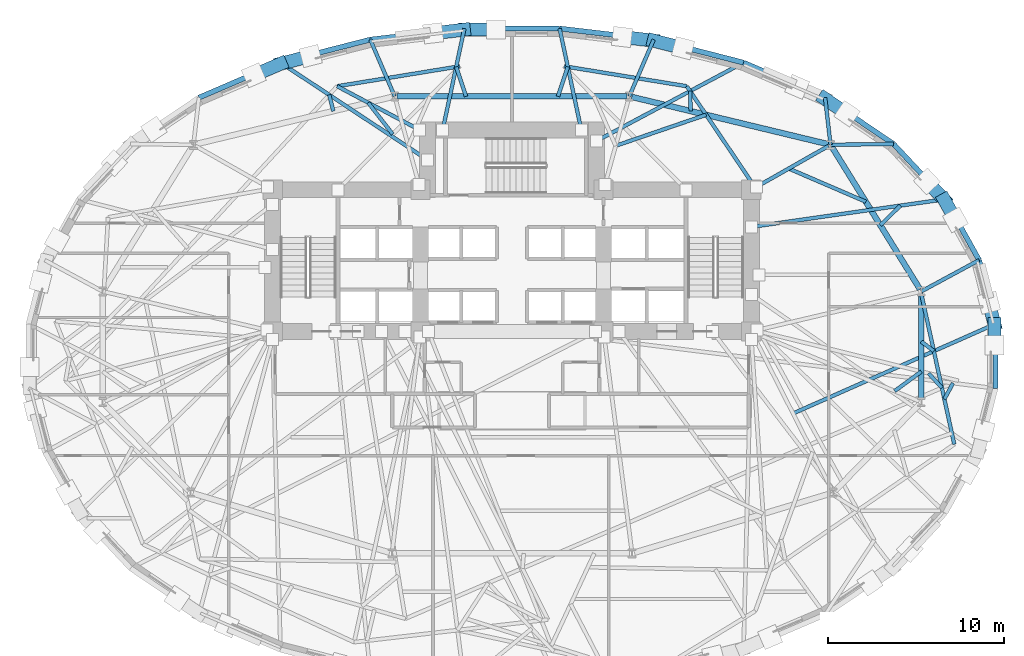
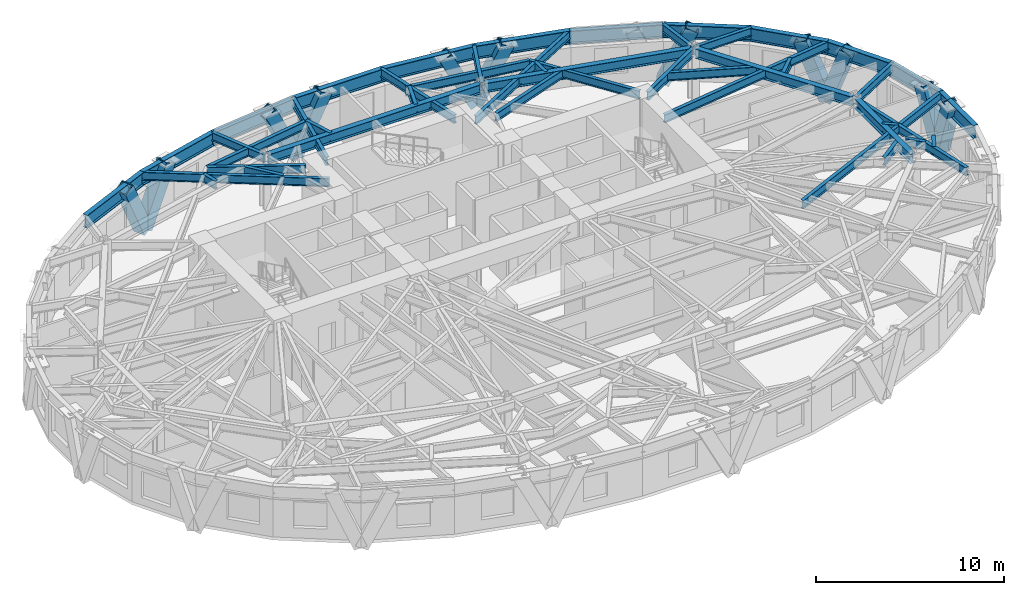
# One storey, part 4 of 14: 45 beams, 11 members.
"""IFC4 building model written with IfcOpenShell, lengths in metres."""

from ifc_helpers import new_model, si_unit, direction, frame, origin, origin_2d, place, context, subcontext, project, spatial, hollow_rectangle, i_section, extrude, material, material_profile, profile_set, type_object, element, save


model = new_model("IFC4")

# Units and contexts
model_context = context("Model", 3, precision=1e-05, world=origin(), true_north=direction((0.0, 1.0)))
body_context = subcontext(model_context, "Body", "Model", "MODEL_VIEW")
ifc_project = project(units=[si_unit("LENGTHUNIT", "METRE"), si_unit("AREAUNIT", "SQUARE_METRE"), si_unit("VOLUMEUNIT", "CUBIC_METRE"), si_unit("PLANEANGLEUNIT", "RADIAN"), si_unit("MASSUNIT", "GRAM", prefix="KILO")], contexts=[model_context])

# Site, building, storey
site_placement = place(None, origin())
site = spatial("IfcSite", under=ifc_project, at=site_placement, CompositionType="ELEMENT")
building_placement = place(site_placement, origin())
building = spatial("IfcBuilding", under=site, at=building_placement, Name="Keldmark Tower", CompositionType="ELEMENT")
storey_placement = place(building_placement, frame((0.0, 0.0, 48.60009765625)))
storey = spatial("IfcBuildingStorey", under=building, at=storey_placement, Name="L12", CompositionType="ELEMENT", Elevation=48.60009765625)

# Members
ifc_material_1 = material(Name="Steel ASTM A572 Grade 50", Category="steel")
ifc_material_profile_1 = material_profile(ifc_material_1, hollow_rectangle(XDim=0.75, YDim=0.75, WallThickness=0.06494140625, at=origin_2d()), Name="BOX750X750X65")
ifc_profile_set_1 = profile_set([ifc_material_profile_1], Name="Steel ASTM A572 Grade 50")
member_type = type_object("IfcMemberType", Name="Diagrid Lower Brace BOX750X750X65", PredefinedType="BRACE", material=ifc_profile_set_1)
member_1_placement = place(storey_placement, frame((27.40625, 1.8271484375, -0.280029296875), z_axis=(-0.082013108125, 0.320090623266, 0.94383041008), x_axis=(-0.968708564556, -0.248200960828, 0.0)))
element("IfcMember", 1, at=member_1_placement, inside=storey, type_object=member_type, Name="L12 Perimeter Diagrid Brace 01A", PredefinedType="BRACE", context=body_context, shape_type="SweptSolid", body=[
    extrude(hollow_rectangle(XDim=0.75, YDim=0.75, WallThickness=0.06494140625, at=origin_2d()), origin(), (0.0, 0.0, 1.0), 3.771728515625),
])
member_2_placement = place(storey_placement, frame((24.551025390625, 8.8955078125, -0.280029296875), z_axis=(0.169441419499, -0.303579863929, 0.937618723989), x_axis=(0.873195871477, 0.487369438963, 0.0)))
element("IfcMember", 2, at=member_2_placement, inside=storey, type_object=member_type, Name="L12 Perimeter Diagrid Brace 01B", PredefinedType="BRACE", context=body_context, shape_type="SweptSolid", body=[
    extrude(hollow_rectangle(XDim=0.75, YDim=0.75, WallThickness=0.06494140625, at=origin_2d()), origin(), (0.0, 0.0, 1.0), 3.796630859375),
])
member_3_placement = place(storey_placement, frame((24.555419921875, 8.884521484375, -0.280029296875), z_axis=(-0.254998160152, 0.272748780582, 0.927676689914), x_axis=(-0.730477044088, -0.682937250456, 0.0)))
element("IfcMember", 3, at=member_3_placement, inside=storey, type_object=member_type, Name="L12 Perimeter Diagrid Brace 02A", PredefinedType="BRACE", context=body_context, shape_type="SweptSolid", body=[
    extrude(hollow_rectangle(XDim=0.75, YDim=0.75, WallThickness=0.06494140625, at=origin_2d()), origin(), (0.0, 0.0, 1.0), 3.83740234375),
])
member_4_placement = place(storey_placement, frame((17.739990234375, 14.647705078125, -0.280029296875), z_axis=(0.333131129955, -0.225770739411, 0.915451376907), x_axis=(0.561020614618, 0.827801830134, 0.0)))
element("IfcMember", 4, at=member_4_placement, inside=storey, type_object=member_type, Name="L12 Perimeter Diagrid Brace 02B", PredefinedType="BRACE", context=body_context, shape_type="SweptSolid", body=[
    extrude(hollow_rectangle(XDim=0.75, YDim=0.75, WallThickness=0.06494140625, at=origin_2d()), origin(), (0.0, 0.0, 1.0), 3.888671875),
])
member_5_placement = place(storey_placement, frame((8.02197265625, 17.9296875, -0.280029296875), z_axis=(0.428520757297, -0.109790376313, 0.896836681807), x_axis=(0.248191356425, 0.96871102533, 0.0)))
element("IfcMember", 5, at=member_5_placement, inside=storey, type_object=member_type, Name="L12 Perimeter Diagrid Brace 03B", PredefinedType="BRACE", context=body_context, shape_type="SweptSolid", body=[
    extrude(hollow_rectangle(XDim=0.75, YDim=0.75, WallThickness=0.06494140625, at=origin_2d()), origin(), (0.0, 0.0, 1.0), 3.96923828125),
])
member_6_placement = place(storey_placement, frame((8.032958984375, 17.92529296875, -0.280029296875), z_axis=(-0.446963157754, 0.052547874672, 0.893007646371), x_axis=(-0.116762289112, -0.993159890371, 0.0)))
element("IfcMember", 6, at=member_6_placement, inside=storey, type_object=member_type, Name="L12 Perimeter Diagrid Brace 04A", PredefinedType="BRACE", context=body_context, shape_type="SweptSolid", body=[
    extrude(hollow_rectangle(XDim=0.75, YDim=0.75, WallThickness=0.06494140625, at=origin_2d()), origin(), (0.0, 0.0, 1.0), 3.986328125),
])
member_7_placement = place(storey_placement, frame((-2.711181640625, 18.551513671875, -0.280029296875), z_axis=(0.451930390939, 0.0, 0.89205320567), x_axis=(0.0, 1.0, 0.0)))
element("IfcMember", 7, at=member_7_placement, inside=storey, type_object=member_type, Name="L12 Perimeter Diagrid Brace 04B", PredefinedType="BRACE", context=body_context, shape_type="SweptSolid", body=[
    extrude(hollow_rectangle(XDim=0.75, YDim=0.75, WallThickness=0.06494140625, at=origin_2d()), origin(), (0.0, 0.0, 1.0), 3.990478515625),
])
member_8_placement = place(storey_placement, frame((-2.69921875, 18.551513671875, -0.280029296875), z_axis=(-0.446963157754, -0.052547874672, 0.893007646371), x_axis=(0.116762289112, -0.993159890371, 0.0)))
element("IfcMember", 8, at=member_8_placement, inside=storey, type_object=member_type, Name="L12 Perimeter Diagrid Brace 05A", PredefinedType="BRACE", context=body_context, shape_type="SweptSolid", body=[
    extrude(hollow_rectangle(XDim=0.75, YDim=0.75, WallThickness=0.06494140625, at=origin_2d()), origin(), (0.0, 0.0, 1.0), 3.986328125),
])
member_9_placement = place(storey_placement, frame((-13.135986328125, 16.617431640625, -0.280029296875), z_axis=(0.428517862758, 0.109851141508, 0.896830623923), x_axis=(-0.248321827558, 0.96867758824, 0.0)))
element("IfcMember", 9, at=member_9_placement, inside=storey, type_object=member_type, Name="L12 Perimeter Diagrid Brace 05B", PredefinedType="BRACE", context=body_context, shape_type="SweptSolid", body=[
    extrude(hollow_rectangle(XDim=0.75, YDim=0.75, WallThickness=0.06494140625, at=origin_2d()), origin(), (0.0, 0.0, 1.0), 3.96923828125),
])
member_10_placement = place(storey_placement, frame((-13.125, 16.6220703125, -0.280029296875), z_axis=(-0.392321493555, -0.168439009879, 0.904274375201), x_axis=(0.394515266189, -0.918889386566, 0.0)))
element("IfcMember", 10, at=member_10_placement, inside=storey, type_object=member_type, Name="L12 Perimeter Diagrid Brace 06A", PredefinedType="BRACE", context=body_context, shape_type="SweptSolid", body=[
    extrude(hollow_rectangle(XDim=0.75, YDim=0.75, WallThickness=0.06494140625, at=origin_2d()), origin(), (0.0, 0.0, 1.0), 3.936767578125),
])
member_11_placement = place(storey_placement, frame((27.40625, 1.8388671875, -0.280029296875), z_axis=(0.0, -0.324660959988, 0.945830461055), x_axis=(1.0, 0.0, 0.0)))
element("IfcMember", 11, at=member_11_placement, inside=storey, type_object=member_type, Name="L12 Perimeter Diagrid Brace 16B", PredefinedType="BRACE", context=body_context, shape_type="SweptSolid", body=[
    extrude(hollow_rectangle(XDim=0.75, YDim=0.75, WallThickness=0.06494140625, at=origin_2d()), origin(), (0.0, 0.0, 1.0), 3.763671875),
])

# Beams
ifc_material_2 = material(Name="Steel ASTM A992 Grade 50", Category="steel")
ifc_material_profile_2 = material_profile(ifc_material_2, i_section(OverallWidth=0.323974609375, OverallDepth=0.611083984375, WebThickness=0.0126953125, FlangeThickness=0.01904296875, at=origin_2d()), Name="W24X104")
ifc_profile_set_2 = profile_set([ifc_material_profile_2], Name="Steel ASTM A992 Grade 50")
beam_type_1 = type_object("IfcBeamType", Name="Primary Floor Girder W24X104", PredefinedType="BEAM", material=ifc_profile_set_2)
beam_1_placement = place(storey_placement, frame((23.180419921875, 3.796142578125, 3.094482421875), z_axis=(-0.526318405849, 0.850287560573, 0.0), x_axis=(-0.850287560573, -0.526318405849, 0.0)))
element("IfcBeam", 12, at=beam_1_placement, inside=storey, type_object=beam_type_1, Name="L12 Floor Ring Girder FG-R01", PredefinedType="BEAM", context=body_context, shape_type="SweptSolid", body=[
    extrude(i_section(OverallWidth=0.323974609375, OverallDepth=0.611083984375, WebThickness=0.0126953125, FlangeThickness=0.01904296875, at=origin_2d()), origin(), (0.0, 0.0, 1.0), 9.51708984375),
])
beam_2_placement = place(storey_placement, frame((17.961669921875, 12.040283203125, 3.094482421875), z_axis=(-0.972218707757, 0.2340743136, 0.0), x_axis=(-0.2340743136, -0.972218707757, 0.0)))
element("IfcBeam", 13, at=beam_2_placement, inside=storey, type_object=beam_type_1, Name="L12 Floor Ring Girder FG-R02", PredefinedType="BEAM", context=body_context, shape_type="SweptSolid", body=[
    extrude(i_section(OverallWidth=0.323974609375, OverallDepth=0.611083984375, WebThickness=0.0126953125, FlangeThickness=0.01904296875, at=origin_2d()), origin(), (0.0, 0.0, 1.0), 11.479248046875),
])
beam_3_placement = place(storey_placement, frame((6.525146484375, 14.760009765625, 3.094482421875), z_axis=(-1.0, 0.0, 0.0), x_axis=(0.0, -1.0, 0.0)))
element("IfcBeam", 14, at=beam_3_placement, inside=storey, type_object=beam_type_1, Name="L12 Floor Ring Girder FG-R03", PredefinedType="BEAM", context=body_context, shape_type="SweptSolid", body=[
    extrude(i_section(OverallWidth=0.323974609375, OverallDepth=0.611083984375, WebThickness=0.0126953125, FlangeThickness=0.01904296875, at=origin_2d()), origin(), (0.0, 0.0, 1.0), 13.05029296875),
])
beam_4_placement = place(storey_placement, frame((23.25390625, -2.47314453125, 3.094482421875), z_axis=(0.0, 1.0, 0.0), x_axis=(-1.0, 0.0, 0.0)))
element("IfcBeam", 15, at=beam_4_placement, inside=storey, type_object=beam_type_1, Name="L12 Floor Ring Girder FG-R12", PredefinedType="BEAM", context=body_context, shape_type="SweptSolid", body=[
    extrude(i_section(OverallWidth=0.323974609375, OverallDepth=0.611083984375, WebThickness=0.0126953125, FlangeThickness=0.01904296875, at=origin_2d()), origin(), (0.0, 0.0, 1.0), 6.01025390625),
])
ifc_material_3 = material(Name="Steel ASTM A992 Grade 50", Category="steel")
ifc_material_profile_3 = material_profile(ifc_material_3, i_section(OverallWidth=0.2099609375, OverallDepth=0.537109375, WebThickness=0.010986328125, FlangeThickness=0.017333984375, at=origin_2d()), Name="W21X68")
ifc_profile_set_3 = profile_set([ifc_material_profile_3], Name="Steel ASTM A992 Grade 50")
beam_type_2 = type_object("IfcBeamType", Name="Radial Tie Girder W21X68", PredefinedType="BEAM", material=ifc_profile_set_3)
beam_5_placement = place(storey_placement, frame((5.889404296875, 11.948486328125, 3.13134765625), z_axis=(0.94599832842, 0.324171501872, 0.0), x_axis=(-0.324171501872, 0.94599832842, 0.0)))
element("IfcBeam", 16, at=beam_5_placement, inside=storey, type_object=beam_type_2, Name="L12 Framing Pin Header PH-001", PredefinedType="BEAM", context=body_context, shape_type="SweptSolid", body=[
    extrude(i_section(OverallWidth=0.2099609375, OverallDepth=0.537109375, WebThickness=0.010986328125, FlangeThickness=0.017333984375, at=origin_2d()), origin(), (0.0, 0.0, 1.0), 5.432373046875),
])
beam_6_placement = place(storey_placement, frame((13.60009765625, 9.89990234375, 3.13134765625), z_axis=(-0.559521471591, 0.828815855802, 0.0), x_axis=(-0.828815855802, -0.559521471591, 0.0)))
element("IfcBeam", 17, at=beam_6_placement, inside=storey, type_object=beam_type_2, Name="L12 Sub-Ring Step Girder STP1-M02", PredefinedType="BEAM", context=body_context, shape_type="SweptSolid", body=[
    extrude(i_section(OverallWidth=0.2099609375, OverallDepth=0.537109375, WebThickness=0.010986328125, FlangeThickness=0.017333984375, at=origin_2d()), origin(), (0.0, 0.0, 1.0), 6.5546875),
])
beam_7_placement = place(storey_placement, frame((-6.775390625, 12.607421875, 3.13134765625), z_axis=(-0.614380011532, 0.789010266999, 0.0), x_axis=(-0.789010266999, -0.614380011532, 0.0)))
element("IfcBeam", 18, at=beam_7_placement, inside=storey, type_object=beam_type_2, Name="L12 Framing Pin Header PH-004", PredefinedType="BEAM", context=body_context, shape_type="SweptSolid", body=[
    extrude(i_section(OverallWidth=0.2099609375, OverallDepth=0.537109375, WebThickness=0.010986328125, FlangeThickness=0.017333984375, at=origin_2d()), origin(), (0.0, 0.0, 1.0), 2.26904296875),
])
beam_8_placement = place(storey_placement, frame((-5.25, 12.85009765625, 3.13134765625), z_axis=(-0.883523338204, 0.468387137792, 0.0), x_axis=(-0.468387137792, -0.883523338204, 0.0)))
element("IfcBeam", 19, at=beam_8_placement, inside=storey, type_object=beam_type_2, Name="L12 Sub-Ring Step Girder STP1-M05", PredefinedType="BEAM", context=body_context, shape_type="SweptSolid", body=[
    extrude(i_section(OverallWidth=0.2099609375, OverallDepth=0.537109375, WebThickness=0.010986328125, FlangeThickness=0.017333984375, at=origin_2d()), origin(), (0.0, 0.0, 1.0), 5.300048828125),
])
beam_9_placement = place(storey_placement, frame((21.740234375, -1.98388671875, 3.13134765625), z_axis=(0.806632426687, 0.591053405554, 0.0), x_axis=(-0.591053405554, 0.806632426687, 0.0)))
element("IfcBeam", 20, at=beam_9_placement, inside=storey, type_object=beam_type_2, Name="L12 Framing Pin Header PH-008", PredefinedType="BEAM", context=body_context, shape_type="SweptSolid", body=[
    extrude(i_section(OverallWidth=0.2099609375, OverallDepth=0.537109375, WebThickness=0.010986328125, FlangeThickness=0.017333984375, at=origin_2d()), origin(), (0.0, 0.0, 1.0), 1.87646484375),
])
for number, where, z_axis, x_axis, name in (
    (21, (9.9326171875, 15.33251953125, 3.13134765625), (-0.987017599619, 0.160612135416, 0.0), (-0.160612135416, -0.987017599619, 0.0), "L12 Perimeter Collector Ring Beam CRG1-M02"),
    (22, (-2.965087890625, 16.46630859375, 3.13134765625), (-0.987017599619, -0.160612135416, 0.0), (0.160612135416, -0.987017599619, 0.0), "L12 Perimeter Collector Ring Beam CRG1-M04"),
):
    element("IfcBeam", number, at=place(storey_placement, frame(where, z_axis=z_axis, x_axis=x_axis)), inside=storey, type_object=beam_type_2, Name=name, PredefinedType="BEAM", context=body_context, shape_type="SweptSolid", body=[
        extrude(i_section(OverallWidth=0.2099609375, OverallDepth=0.537109375, WebThickness=0.010986328125, FlangeThickness=0.017333984375, at=origin_2d()), origin(), (0.0, 0.0, 1.0), 7.05908203125),
    ])
beam_10_placement = place(storey_placement, frame((15.72216796875, 10.65673828125, 3.13134765625), z_axis=(0.918415191606, -0.395617916464, 0.0), x_axis=(0.395617916464, 0.918415191606, 0.0)))
element("IfcBeam", 23, at=beam_10_placement, inside=storey, type_object=beam_type_2, Name="L12 Framing Pin Header PH-009", PredefinedType="BEAM", context=body_context, shape_type="SweptSolid", body=[
    extrude(i_section(OverallWidth=0.2099609375, OverallDepth=0.537109375, WebThickness=0.010986328125, FlangeThickness=0.017333984375, at=origin_2d()), origin(), (0.0, 0.0, 1.0), 4.768310546875),
])
beam_11_placement = place(storey_placement, frame((23.66845703125, -0.977294921875, 3.13134765625), z_axis=(0.675774047362, -0.737108836544, 0.0), x_axis=(0.737108836544, 0.675774047362, 0.0)))
element("IfcBeam", 24, at=beam_11_placement, inside=storey, type_object=beam_type_2, Name="L12 Framing Pin Header PH-015", PredefinedType="BEAM", context=body_context, shape_type="SweptSolid", body=[
    extrude(i_section(OverallWidth=0.2099609375, OverallDepth=0.537109375, WebThickness=0.010986328125, FlangeThickness=0.017333984375, at=origin_2d()), origin(), (0.0, 0.0, 1.0), 1.118408203125),
])
beam_12_placement = place(storey_placement, frame((23.25390625, 3.537109375, 3.13134765625), z_axis=(0.214137140926, -0.976803606093, 0.0), x_axis=(0.976803606093, 0.214137140926, 0.0)))
element("IfcBeam", 25, at=beam_12_placement, inside=storey, type_object=beam_type_2, Name="L12 Sub-Ring Step Girder STP2-M12", PredefinedType="BEAM", context=body_context, shape_type="SweptSolid", body=[
    extrude(i_section(OverallWidth=0.2099609375, OverallDepth=0.537109375, WebThickness=0.010986328125, FlangeThickness=0.017333984375, at=origin_2d()), origin(), (0.0, 0.0, 1.0), 8.748046875),
])
beam_13_placement = place(storey_placement, frame((23.25390625, 0.83251953125, 3.13134765625), z_axis=(0.792613901629, -0.609723874344, 0.0), x_axis=(0.609723874344, 0.792613901629, 0.0)))
element("IfcBeam", 26, at=beam_13_placement, inside=storey, type_object=beam_type_2, Name="L12 Framing Pin Header PH-016", PredefinedType="BEAM", context=body_context, shape_type="SweptSolid", body=[
    extrude(i_section(OverallWidth=0.2099609375, OverallDepth=0.537109375, WebThickness=0.010986328125, FlangeThickness=0.017333984375, at=origin_2d()), origin(), (0.0, 0.0, 1.0), 0.899658203125),
])
beam_14_placement = place(storey_placement, frame((15.96728515625, -3.258056640625, 3.13134765625), z_axis=(0.914383067836, 0.404850102204, 0.0), x_axis=(-0.404850102204, 0.914383067836, 0.0)))
element("IfcBeam", 27, at=beam_14_placement, inside=storey, type_object=beam_type_2, Name="L12 Perimeter Radial Tie Girder RT-01", PredefinedType="BEAM", context=body_context, shape_type="SweptSolid", body=[
    extrude(i_section(OverallWidth=0.2099609375, OverallDepth=0.537109375, WebThickness=0.010986328125, FlangeThickness=0.017333984375, at=origin_2d()), origin(), (0.0, 0.0, 1.0), 12.5751953125),
])
beam_15_placement = place(storey_placement, frame((23.25390625, 3.67724609375, 3.13134765625), z_axis=(0.8794299536, 0.476028315031, 0.0), x_axis=(-0.476028315031, 0.8794299536, 0.0)))
element("IfcBeam", 28, at=beam_15_placement, inside=storey, type_object=beam_type_2, Name="L12 Perimeter Column Bracket RT-02", PredefinedType="BEAM", context=body_context, shape_type="SweptSolid", body=[
    extrude(i_section(OverallWidth=0.2099609375, OverallDepth=0.537109375, WebThickness=0.010986328125, FlangeThickness=0.017333984375, at=origin_2d()), origin(), (0.0, 0.0, 1.0), 3.734619140625),
])
beam_16_placement = place(storey_placement, frame((20.92626953125, 7.437744140625, 3.13134765625), z_axis=(0.714817341796, 0.699311209597, 0.0), x_axis=(-0.699311209597, 0.714817341796, 0.0)))
element("IfcBeam", 29, at=beam_16_placement, inside=storey, type_object=beam_type_2, Name="L12 Framing Pin Header PH-017", PredefinedType="BEAM", context=body_context, shape_type="SweptSolid", body=[
    extrude(i_section(OverallWidth=0.2099609375, OverallDepth=0.537109375, WebThickness=0.010986328125, FlangeThickness=0.017333984375, at=origin_2d()), origin(), (0.0, 0.0, 1.0), 1.59033203125),
])
beam_17_placement = place(storey_placement, frame((13.60009765625, 7.343017578125, 3.13134765625), z_axis=(0.989984592314, 0.141175447518, 0.0), x_axis=(-0.141175447518, 0.989984592314, 0.0)))
element("IfcBeam", 30, at=beam_17_placement, inside=storey, type_object=beam_type_2, Name="L12 Perimeter Radial Tie Girder RT-03", PredefinedType="BEAM", context=body_context, shape_type="SweptSolid", body=[
    extrude(i_section(OverallWidth=0.2099609375, OverallDepth=0.537109375, WebThickness=0.010986328125, FlangeThickness=0.017333984375, at=origin_2d()), origin(), (0.0, 0.0, 1.0), 11.11962890625),
])
beam_18_placement = place(storey_placement, frame((18.09765625, 12.00732421875, 3.13134765625), z_axis=(0.999921071329, 0.012563881257, 0.0), x_axis=(-0.012563881257, 0.999921071329, 0.0)))
element("IfcBeam", 31, at=beam_18_placement, inside=storey, type_object=beam_type_2, Name="L12 Perimeter Column Bracket RT-04", PredefinedType="BEAM", context=body_context, shape_type="SweptSolid", body=[
    extrude(i_section(OverallWidth=0.2099609375, OverallDepth=0.537109375, WebThickness=0.010986328125, FlangeThickness=0.017333984375, at=origin_2d()), origin(), (0.0, 0.0, 1.0), 3.575439453125),
])
beam_19_placement = place(storey_placement, frame((18.09765625, 12.00732421875, 3.13134765625), z_axis=(-0.115438533169, 0.993314625413, 0.0), x_axis=(-0.993314625413, -0.115438533169, 0.0)))
element("IfcBeam", 32, at=beam_19_placement, inside=storey, type_object=beam_type_2, Name="L12 Perimeter Column Bracket RT-05", PredefinedType="BEAM", context=body_context, shape_type="SweptSolid", body=[
    extrude(i_section(OverallWidth=0.2099609375, OverallDepth=0.537109375, WebThickness=0.010986328125, FlangeThickness=0.017333984375, at=origin_2d()), origin(), (0.0, 0.0, 1.0), 2.696533203125),
])
beam_20_placement = place(storey_placement, frame((10.1494140625, 13.921142578125, 3.13134765625), z_axis=(-0.027695557598, 0.999616404472, 0.0), x_axis=(-0.999616404472, -0.027695557598, 0.0)))
element("IfcBeam", 33, at=beam_20_placement, inside=storey, type_object=beam_type_2, Name="L12 Framing Pin Header PH-018", PredefinedType="BEAM", context=body_context, shape_type="SweptSolid", body=[
    extrude(i_section(OverallWidth=0.2099609375, OverallDepth=0.537109375, WebThickness=0.010986328125, FlangeThickness=0.017333984375, at=origin_2d()), origin(), (0.0, 0.0, 1.0), 1.13720703125),
])
beam_21_placement = place(storey_placement, frame((4.800048828125, 12.22509765625, 3.13134765625), z_axis=(0.882588469894, 0.470146352544, 0.0), x_axis=(-0.470146352544, 0.882588469894, 0.0)))
element("IfcBeam", 34, at=beam_21_placement, inside=storey, type_object=beam_type_2, Name="L12 Perimeter Radial Tie Girder RT-06", PredefinedType="BEAM", context=body_context, shape_type="SweptSolid", body=[
    extrude(i_section(OverallWidth=0.2099609375, OverallDepth=0.537109375, WebThickness=0.010986328125, FlangeThickness=0.017333984375, at=origin_2d()), origin(), (0.0, 0.0, 1.0), 9.464599609375),
])
beam_22_placement = place(storey_placement, frame((6.6650390625, 14.760009765625, 3.13134765625), z_axis=(0.3949102692, 0.918719695707, 0.0), x_axis=(-0.918719695707, 0.3949102692, 0.0)))
element("IfcBeam", 35, at=beam_22_placement, inside=storey, type_object=beam_type_2, Name="L12 Perimeter Column Bracket RT-07", PredefinedType="BEAM", context=body_context, shape_type="SweptSolid", body=[
    extrude(i_section(OverallWidth=0.2099609375, OverallDepth=0.537109375, WebThickness=0.010986328125, FlangeThickness=0.017333984375, at=origin_2d()), origin(), (0.0, 0.0, 1.0), 3.5078125),
])
beam_23_placement = place(storey_placement, frame((2.610107421875, 14.760009765625, 3.13134765625), z_axis=(0.3180123932, 0.948086556054, 0.0), x_axis=(-0.948086556054, 0.3180123932, 0.0)))
element("IfcBeam", 36, at=beam_23_placement, inside=storey, type_object=beam_type_2, Name="L12 Framing Pin Header PH-019", PredefinedType="BEAM", context=body_context, shape_type="SweptSolid", body=[
    extrude(i_section(OverallWidth=0.2099609375, OverallDepth=0.537109375, WebThickness=0.010986328125, FlangeThickness=0.017333984375, at=origin_2d()), origin(), (0.0, 0.0, 1.0), 1.76416015625),
])
beam_24_placement = place(storey_placement, frame((3.9375, 12.85009765625, 3.13134765625), z_axis=(-0.209192295386, 0.977874523419, 0.0), x_axis=(-0.977874523419, -0.209192295386, 0.0)))
element("IfcBeam", 37, at=beam_24_placement, inside=storey, type_object=beam_type_2, Name="L12 Perimeter Radial Tie Girder RT-08", PredefinedType="BEAM", context=body_context, shape_type="SweptSolid", body=[
    extrude(i_section(OverallWidth=0.2099609375, OverallDepth=0.537109375, WebThickness=0.010986328125, FlangeThickness=0.017333984375, at=origin_2d()), origin(), (0.0, 0.0, 1.0), 5.891357421875),
])
beam_25_placement = place(storey_placement, frame((-2.610107421875, 14.760009765625, 3.13134765625), z_axis=(-0.3180123932, 0.948086556054, 0.0), x_axis=(-0.948086556054, -0.3180123932, 0.0)))
element("IfcBeam", 38, at=beam_25_placement, inside=storey, type_object=beam_type_2, Name="L12 Framing Pin Header PH-020", PredefinedType="BEAM", context=body_context, shape_type="SweptSolid", body=[
    extrude(i_section(OverallWidth=0.2099609375, OverallDepth=0.537109375, WebThickness=0.010986328125, FlangeThickness=0.017333984375, at=origin_2d()), origin(), (0.0, 0.0, 1.0), 1.76416015625),
])
beam_26_placement = place(storey_placement, frame((-3.9375, 12.85009765625, 3.13134765625), z_axis=(0.209192295386, 0.977874523419, 0.0), x_axis=(-0.977874523419, 0.209192295386, 0.0)))
element("IfcBeam", 39, at=beam_26_placement, inside=storey, type_object=beam_type_2, Name="L12 Perimeter Radial Tie Girder RT-09", PredefinedType="BEAM", context=body_context, shape_type="SweptSolid", body=[
    extrude(i_section(OverallWidth=0.2099609375, OverallDepth=0.537109375, WebThickness=0.010986328125, FlangeThickness=0.017333984375, at=origin_2d()), origin(), (0.0, 0.0, 1.0), 5.891357421875),
])
beam_27_placement = place(storey_placement, frame((-6.6650390625, 14.760009765625, 3.13134765625), z_axis=(-0.3949102692, 0.918719695707, 0.0), x_axis=(-0.918719695707, -0.3949102692, 0.0)))
element("IfcBeam", 40, at=beam_27_placement, inside=storey, type_object=beam_type_2, Name="L12 Perimeter Column Bracket RT-10", PredefinedType="BEAM", context=body_context, shape_type="SweptSolid", body=[
    extrude(i_section(OverallWidth=0.2099609375, OverallDepth=0.537109375, WebThickness=0.010986328125, FlangeThickness=0.017333984375, at=origin_2d()), origin(), (0.0, 0.0, 1.0), 3.5078125),
])
beam_28_placement = place(storey_placement, frame((-10.1494140625, 13.921142578125, 3.13134765625), z_axis=(-0.246337501647, 0.969184108043, 0.0), x_axis=(-0.969184108043, -0.246337501647, 0.0)))
element("IfcBeam", 41, at=beam_28_placement, inside=storey, type_object=beam_type_2, Name="L12 Framing Pin Header PH-021", PredefinedType="BEAM", context=body_context, shape_type="SweptSolid", body=[
    extrude(i_section(OverallWidth=0.2099609375, OverallDepth=0.537109375, WebThickness=0.010986328125, FlangeThickness=0.017333984375, at=origin_2d()), origin(), (0.0, 0.0, 1.0), 0.951416015625),
])
beam_29_placement = place(storey_placement, frame((-4.800048828125, 11.14990234375, 3.13134765625), z_axis=(-0.834069941472, 0.551658710376, 0.0), x_axis=(-0.551658710376, -0.834069941472, 0.0)))
element("IfcBeam", 42, at=beam_29_placement, inside=storey, type_object=beam_type_2, Name="L12 Perimeter Radial Tie Girder RT-11", PredefinedType="BEAM", context=body_context, shape_type="SweptSolid", body=[
    extrude(i_section(OverallWidth=0.2099609375, OverallDepth=0.537109375, WebThickness=0.010986328125, FlangeThickness=0.017333984375, at=origin_2d()), origin(), (0.0, 0.0, 1.0), 10.01513671875),
])
beam_30_placement = place(storey_placement, frame((24.565185546875, -2.4443359375, 3.13134765625), z_axis=(0.471298186467, 0.881973933534, 0.0), x_axis=(-0.881973933534, 0.471298186467, 0.0)))
element("IfcBeam", 43, at=beam_30_placement, inside=storey, type_object=beam_type_2, Name="L12 Framing Pin Header PH-043", PredefinedType="BEAM", context=body_context, shape_type="SweptSolid", body=[
    extrude(i_section(OverallWidth=0.2099609375, OverallDepth=0.537109375, WebThickness=0.010986328125, FlangeThickness=0.017333984375, at=origin_2d()), origin(), (0.0, 0.0, 1.0), 1.034912109375),
])
ifc_material_4 = material(Name="Steel ASTM A992 Grade 50", Category="steel")
ifc_material_profile_4 = material_profile(ifc_material_4, i_section(OverallWidth=0.214111328125, OverallDepth=0.549072265625, WebThickness=0.0146484375, FlangeThickness=0.023681640625, at=origin_2d()), Name="W21X93")
ifc_profile_set_4 = profile_set([ifc_material_profile_4], Name="Steel ASTM A992 Grade 50")
beam_type_3 = type_object("IfcBeamType", Name="Radial Tie Girder W21X93", PredefinedType="BEAM", material=ifc_profile_set_4)
beam_31_placement = place(storey_placement, frame((17.97607421875, 11.938232421875, 3.12548828125), z_axis=(-0.869299282131, -0.494286109542, 0.0), x_axis=(0.494286109542, -0.869299282131, 0.0)))
element("IfcBeam", 44, at=beam_31_placement, inside=storey, type_object=beam_type_3, Name="L12 Floor Radial Girder FG-C02", PredefinedType="BEAM", context=body_context, shape_type="SweptSolid", body=[
    extrude(i_section(OverallWidth=0.214111328125, OverallDepth=0.549072265625, WebThickness=0.0146484375, FlangeThickness=0.023681640625, at=origin_2d()), origin(), (0.0, 0.0, 1.0), 4.714111328125),
])
ifc_material_5 = material(Name="Steel ASTM A992 Grade 50", Category="steel")
ifc_material_profile_5 = material_profile(ifc_material_5, i_section(OverallWidth=0.2919921875, OverallDepth=0.85888671875, WebThickness=0.01708984375, FlangeThickness=0.031005859375, at=origin_2d()), Name="W33X169")
ifc_profile_set_5 = profile_set([ifc_material_profile_5], Name="Steel ASTM A992 Grade 50")
beam_type_4 = type_object("IfcBeamType", Name="Spandrel Ring Beam W33X169", PredefinedType="SPANDREL", material=ifc_profile_set_5)
beam_32_placement = place(storey_placement, frame((27.4658203125, 1.8330078125, 2.970458984375), z_axis=(-0.248062710061, 0.968743976434, 0.0), x_axis=(-0.968743976434, -0.248062710061, 0.0)))
element("IfcBeam", 45, at=beam_32_placement, inside=storey, type_object=beam_type_4, Name="L12 Perimeter Spandrel Ring Beam SRB-01", PredefinedType="SPANDREL", context=body_context, shape_type="SweptSolid", body=[
    extrude(i_section(OverallWidth=0.2919921875, OverallDepth=0.85888671875, WebThickness=0.01708984375, FlangeThickness=0.031005859375, at=origin_2d()), origin(), (0.0, 0.0, 1.0), 3.739013671875),
])
beam_33_placement = place(storey_placement, frame((26.538330078125, 5.455078125, 2.970458984375), z_axis=(-0.487369438963, 0.873195871477, 0.0), x_axis=(-0.873195871477, -0.487369438963, 0.0)))
element("IfcBeam", 46, at=beam_33_placement, inside=storey, type_object=beam_type_4, Name="L12 Perimeter Spandrel Ring Beam SRB-02", PredefinedType="SPANDREL", context=body_context, shape_type="SweptSolid", body=[
    extrude(i_section(OverallWidth=0.2919921875, OverallDepth=0.85888671875, WebThickness=0.01708984375, FlangeThickness=0.031005859375, at=origin_2d()), origin(), (0.0, 0.0, 1.0), 3.9599609375),
])
beam_34_placement = place(storey_placement, frame((24.6083984375, 8.912841796875, 2.970458984375), z_axis=(-0.68299392258, 0.730424056093, 0.0), x_axis=(-0.730424056093, -0.68299392258, 0.0)))
element("IfcBeam", 47, at=beam_34_placement, inside=storey, type_object=beam_type_4, Name="L12 Perimeter Spandrel Ring Beam SRB-03", PredefinedType="SPANDREL", context=body_context, shape_type="SweptSolid", body=[
    extrude(i_section(OverallWidth=0.2919921875, OverallDepth=0.85888671875, WebThickness=0.01708984375, FlangeThickness=0.031005859375, at=origin_2d()), origin(), (0.0, 0.0, 1.0), 4.298095703125),
])
beam_35_placement = place(storey_placement, frame((21.6728515625, 12.05224609375, 2.970458984375), z_axis=(-0.827842346852, 0.560960826402, 0.0), x_axis=(-0.560960826402, -0.827842346852, 0.0)))
element("IfcBeam", 48, at=beam_35_placement, inside=storey, type_object=beam_type_4, Name="L12 Perimeter Spandrel Ring Beam SRB-04", PredefinedType="SPANDREL", context=body_context, shape_type="SweptSolid", body=[
    extrude(i_section(OverallWidth=0.2919921875, OverallDepth=0.85888671875, WebThickness=0.01708984375, FlangeThickness=0.031005859375, at=origin_2d()), origin(), (0.0, 0.0, 1.0), 4.69482421875),
])
beam_36_placement = place(storey_placement, frame((17.786376953125, 14.685791015625, 2.970458984375), z_axis=(-0.91889940345, 0.394491934442, 0.0), x_axis=(-0.394491934442, -0.91889940345, 0.0)))
element("IfcBeam", 49, at=beam_36_placement, inside=storey, type_object=beam_type_4, Name="L12 Perimeter Spandrel Ring Beam SRB-05", PredefinedType="SPANDREL", context=body_context, shape_type="SweptSolid", body=[
    extrude(i_section(OverallWidth=0.2919921875, OverallDepth=0.85888671875, WebThickness=0.01708984375, FlangeThickness=0.031005859375, at=origin_2d()), origin(), (0.0, 0.0, 1.0), 5.0419921875),
])
beam_37_placement = place(storey_placement, frame((13.1533203125, 16.6748046875, 2.970458984375), z_axis=(-0.968691592339, 0.248267192621, 0.0), x_axis=(-0.248267192621, -0.968691592339, 0.0)))
element("IfcBeam", 50, at=beam_37_placement, inside=storey, type_object=beam_type_4, Name="L12 Perimeter Spandrel Ring Beam SRB-06", PredefinedType="SPANDREL", context=body_context, shape_type="SweptSolid", body=[
    extrude(i_section(OverallWidth=0.2919921875, OverallDepth=0.85888671875, WebThickness=0.01708984375, FlangeThickness=0.031005859375, at=origin_2d()), origin(), (0.0, 0.0, 1.0), 5.26806640625),
])
beam_38_placement = place(storey_placement, frame((8.05029296875, 17.982666015625, 2.970458984375), z_axis=(-0.993159890371, 0.116762289112, 0.0), x_axis=(-0.116762289112, -0.993159890371, 0.0)))
element("IfcBeam", 51, at=beam_38_placement, inside=storey, type_object=beam_type_4, Name="L12 Perimeter Spandrel Ring Beam SRB-07", PredefinedType="SPANDREL", context=body_context, shape_type="SweptSolid", body=[
    extrude(i_section(OverallWidth=0.2919921875, OverallDepth=0.85888671875, WebThickness=0.01708984375, FlangeThickness=0.031005859375, at=origin_2d()), origin(), (0.0, 0.0, 1.0), 5.382080078125),
])
beam_39_placement = place(storey_placement, frame((2.705078125, 18.611083984375, 2.970458984375), z_axis=(-1.0, 0.0, 0.0), x_axis=(0.0, -1.0, 0.0)))
element("IfcBeam", 52, at=beam_39_placement, inside=storey, type_object=beam_type_4, Name="L12 Perimeter Spandrel Ring Beam SRB-08", PredefinedType="SPANDREL", context=body_context, shape_type="SweptSolid", body=[
    extrude(i_section(OverallWidth=0.2919921875, OverallDepth=0.85888671875, WebThickness=0.01708984375, FlangeThickness=0.031005859375, at=origin_2d()), origin(), (0.0, 0.0, 1.0), 5.41015625),
])
beam_40_placement = place(storey_placement, frame((-2.705078125, 18.611083984375, 2.970458984375), z_axis=(-0.993159890371, -0.116762289112, 0.0), x_axis=(0.116762289112, -0.993159890371, 0.0)))
element("IfcBeam", 53, at=beam_40_placement, inside=storey, type_object=beam_type_4, Name="L12 Perimeter Spandrel Ring Beam SRB-09", PredefinedType="SPANDREL", context=body_context, shape_type="SweptSolid", body=[
    extrude(i_section(OverallWidth=0.2919921875, OverallDepth=0.85888671875, WebThickness=0.01708984375, FlangeThickness=0.031005859375, at=origin_2d()), origin(), (0.0, 0.0, 1.0), 5.382080078125),
])
beam_41_placement = place(storey_placement, frame((-8.05029296875, 17.982666015625, 2.970458984375), z_axis=(-0.968691592339, -0.248267192621, 0.0), x_axis=(0.248267192621, -0.968691592339, 0.0)))
element("IfcBeam", 54, at=beam_41_placement, inside=storey, type_object=beam_type_4, Name="L12 Perimeter Spandrel Ring Beam SRB-10", PredefinedType="SPANDREL", context=body_context, shape_type="SweptSolid", body=[
    extrude(i_section(OverallWidth=0.2919921875, OverallDepth=0.85888671875, WebThickness=0.01708984375, FlangeThickness=0.031005859375, at=origin_2d()), origin(), (0.0, 0.0, 1.0), 5.26806640625),
])
beam_42_placement = place(storey_placement, frame((-13.1533203125, 16.6748046875, 2.970458984375), z_axis=(-0.91889940345, -0.394491934442, 0.0), x_axis=(0.394491934442, -0.91889940345, 0.0)))
element("IfcBeam", 55, at=beam_42_placement, inside=storey, type_object=beam_type_4, Name="L12 Perimeter Spandrel Ring Beam SRB-11", PredefinedType="SPANDREL", context=body_context, shape_type="SweptSolid", body=[
    extrude(i_section(OverallWidth=0.2919921875, OverallDepth=0.85888671875, WebThickness=0.01708984375, FlangeThickness=0.031005859375, at=origin_2d()), origin(), (0.0, 0.0, 1.0), 5.0419921875),
])
beam_43_placement = place(storey_placement, frame((27.4658203125, -1.8330078125, 2.970458984375), z_axis=(0.0, 1.0, 0.0), x_axis=(-1.0, 0.0, 0.0)))
element("IfcBeam", 56, at=beam_43_placement, inside=storey, type_object=beam_type_4, Name="L12 Perimeter Spandrel Ring Beam SRB-32", PredefinedType="SPANDREL", context=body_context, shape_type="SweptSolid", body=[
    extrude(i_section(OverallWidth=0.2919921875, OverallDepth=0.85888671875, WebThickness=0.01708984375, FlangeThickness=0.031005859375, at=origin_2d()), origin(), (0.0, 0.0, 1.0), 3.666015625),
])

save(model, "model.ifc")
